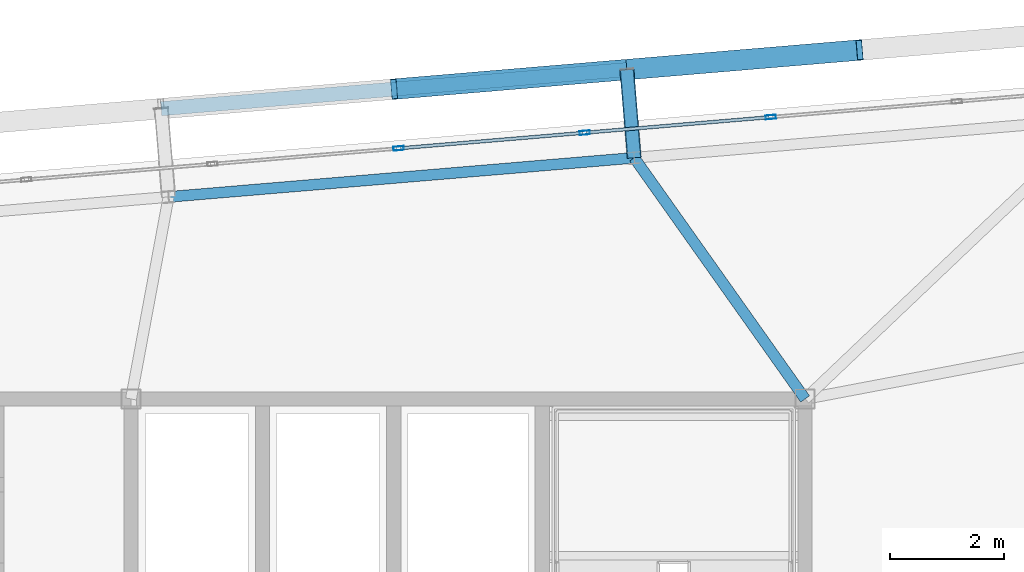
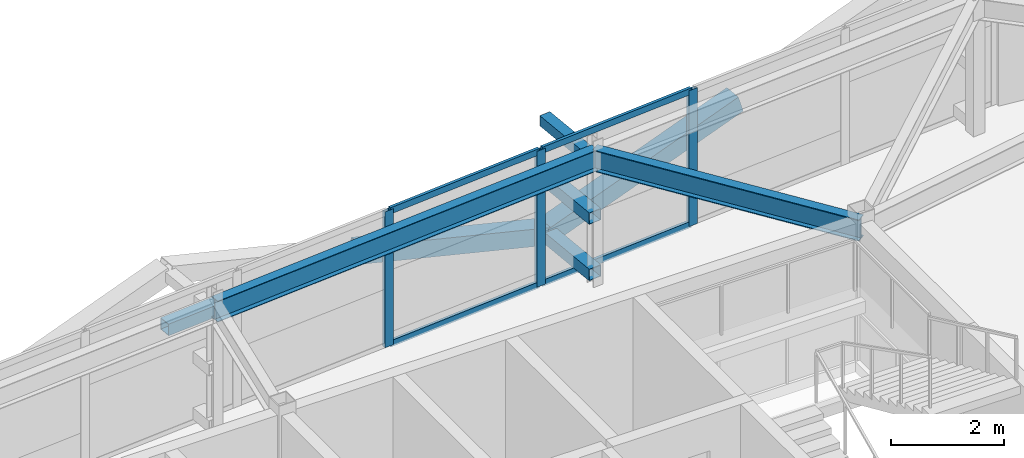
# One storey, part 30 of 46: 13 members, 2 beams, 1 element without a shape of its own.
"""IFC4 building model written with IfcOpenShell, lengths in metres."""

from ifc_helpers import new_model, si_unit, direction, frame, origin, origin_2d, place, context, subcontext, project, spatial, hollow_rectangle, i_section, extrude, source, transform, mapped, material, layer, layer_set, material_profile, profile_set, type_object, element, aggregate, save


model = new_model("IFC4")

# Units and contexts
model_context = context("Model", 3, precision=1e-05, world=origin(), true_north=direction((0.0, 1.0)))
body_context = subcontext(model_context, "Body", "Model", "MODEL_VIEW")
ifc_project = project(units=[si_unit("LENGTHUNIT", "METRE"), si_unit("AREAUNIT", "SQUARE_METRE"), si_unit("VOLUMEUNIT", "CUBIC_METRE"), si_unit("PLANEANGLEUNIT", "RADIAN"), si_unit("MASSUNIT", "GRAM", prefix="KILO")], contexts=[model_context])

# Site, building, storey
site_placement = place(None, origin())
site = spatial("IfcSite", under=ifc_project, at=site_placement, CompositionType="ELEMENT")
building_placement = place(site_placement, origin())
building = spatial("IfcBuilding", under=site, at=building_placement, Name="Taldren Reach Tower", CompositionType="ELEMENT")
storey_placement = place(building_placement, frame((0.0, 0.0, 185.14990234375)))
storey = spatial("IfcBuildingStorey", under=building, at=storey_placement, Name="L56", CompositionType="ELEMENT", Elevation=185.14990234375)

# Members
ifc_material_1 = material(Name="Steel Gr 350 (C350L0)", Category="steel")
ifc_material_profile_1 = material_profile(ifc_material_1, hollow_rectangle(XDim=0.25, YDim=0.25, WallThickness=0.010009765625, at=origin_2d()), Name="250x250x10.0SHS")
ifc_profile_set_1 = profile_set([ifc_material_profile_1], Name="Steel Gr 350 (C350L0)")
member_type_1 = type_object("IfcMemberType", Name="MB-POST250", PredefinedType="POST", material=ifc_profile_set_1)
shared_shape_1 = source(origin(), body_context, "Body", "SweptSolid", [
    extrude(hollow_rectangle(XDim=0.25, YDim=0.25, WallThickness=0.010009765625, at=origin_2d()), origin(), (0.0, 0.0, 1.0), 1.550048828125),
])
for number, where, z_axis, x_axis, name in (
    (1, (48.009033203125, 36.221435546875, 0.22021484375), (-0.083632013783, 0.996496706603, 0.0), (-0.996496706603, -0.083632013783, 0.0), "Exoskeleton base diaphragm tie strut B4-N5 L56"),
    (2, (48.009033203125, 36.221435546875, 1.43505859375), (-0.083632013783, 0.996496706603, 0.0), (-0.996496706603, -0.083632013783, 0.0), "Exoskeleton mid-tier diaphragm tie B4-N5 L56"),
):
    element("IfcMember", number, at=place(storey_placement, frame(where, z_axis=z_axis, x_axis=x_axis)), inside=storey, type_object=member_type_1, Name=name, PredefinedType="POST", context=body_context, shape_type="MappedRepresentation", body=[
        mapped(shared_shape_1, transform((0.0, 0.0, 0.0), scale=1.0)),
    ])

# Beams
ifc_material_2 = material(Name="Steel Gr 350 (350PLUS)", Category="steel")
ifc_material_profile_2 = material_profile(ifc_material_2, i_section(OverallWidth=0.18994140625, OverallDepth=0.4541015625, WebThickness=0.008544921875, FlangeThickness=0.0126953125, at=origin_2d()), Name="460UB67.1")
ifc_profile_set_2 = profile_set([ifc_material_profile_2], Name="Steel Gr 350 (350PLUS)")
beam_type_1 = type_object("IfcBeamType", Name="SP-UB460B", PredefinedType="SPANDREL", material=ifc_profile_set_2)
shared_shape_2 = source(origin(), body_context, "Body", "SweptSolid", [
    extrude(i_section(OverallWidth=0.18994140625, OverallDepth=0.4541015625, WebThickness=0.008544921875, FlangeThickness=0.0126953125, at=origin_2d()), origin(), (0.0, 0.0, 1.0), 8.179931640625),
])
beam_1_placement = place(storey_placement, frame((48.009033203125, 36.221435546875, 2.703125), z_axis=(-0.996494523218, -0.083658025296, 0.0), x_axis=(0.083658025296, -0.996494523218, 0.0)))
element("IfcBeam", 3, at=beam_1_placement, inside=storey, type_object=beam_type_1, Name="Perimeter spandrel B4 N5-N4 L56", PredefinedType="SPANDREL", context=body_context, shape_type="MappedRepresentation", body=[
    mapped(shared_shape_2, transform((0.0, 0.0, 0.0), scale=1.0)),
])
ifc_material_profile_3 = material_profile(ifc_material_2, i_section(OverallWidth=0.19091796875, OverallDepth=0.4599609375, WebThickness=0.010009765625, FlangeThickness=0.01611328125, at=origin_2d()), Name="460UB82.1")
ifc_profile_set_3 = profile_set([ifc_material_profile_3], Name="Steel Gr 350 (350PLUS)")
beam_type_2 = type_object("IfcBeamType", Name="BM-UB460A", PredefinedType="BEAM", material=ifc_profile_set_3)
shared_shape_3 = source(origin(), body_context, "Body", "SweptSolid", [
    extrude(i_section(OverallWidth=0.19091796875, OverallDepth=0.4599609375, WebThickness=0.010009765625, FlangeThickness=0.01611328125, at=origin_2d()), origin(), (0.0, 0.0, 1.0), 5.173583984375),
])
beam_2_placement = place(storey_placement, frame((51.0, 32.0, 2.7001953125), z_axis=(-0.578118152709, 0.8159530633, 0.0), x_axis=(-0.8159530633, -0.578118152709, 0.0)))
element("IfcBeam", 4, at=beam_2_placement, inside=storey, type_object=beam_type_2, Name="Primary floor girder B4-N5 L56", PredefinedType="BEAM", context=body_context, shape_type="MappedRepresentation", body=[
    mapped(shared_shape_3, transform((0.0, 0.0, 0.0), scale=1.0)),
])

# Members
ifc_material_3 = material(Name="Steel Gr 450 (C450L0)", Category="steel")
ifc_material_profile_4 = material_profile(ifc_material_3, hollow_rectangle(XDim=0.219970703125, YDim=0.219970703125, WallThickness=0.00830078125, at=origin_2d()), Name="220x220x8.2SHS")
ifc_profile_set_4 = profile_set([ifc_material_profile_4], Name="Steel Gr 450 (C450L0)")
member_type_2 = type_object("IfcMemberType", Name="MB-TIE219", PredefinedType="STRUT", material=ifc_profile_set_4)
shared_shape_4 = source(origin(), body_context, "Body", "SweptSolid", [
    extrude(hollow_rectangle(XDim=0.219970703125, YDim=0.219970703125, WallThickness=0.00830078125, at=origin_2d()), origin(), (0.0, 0.0, 1.0), 1.550048828125),
])
member_1_placement = place(storey_placement, frame((48.009033203125, 36.221435546875, 2.650146484375), z_axis=(-0.083632013783, 0.996496706603, 0.0), x_axis=(-0.996496706603, -0.083632013783, 0.0)))
element("IfcMember", 5, at=member_1_placement, inside=storey, type_object=member_type_2, Name="Exoskeleton diaphragm tie strut B4-N5 L56", PredefinedType="STRUT", context=body_context, shape_type="MappedRepresentation", body=[
    mapped(shared_shape_4, transform((0.0, 0.0, 0.0), scale=1.0)),
])
shared_shape_5 = source(origin(), body_context, "Body", "SweptSolid", [
    extrude(hollow_rectangle(XDim=0.25, YDim=0.25, WallThickness=0.010009765625, at=origin_2d()), origin(), (0.0, 0.0, 1.0), 8.18017578125),
])
member_2_placement = place(storey_placement, frame((39.72802734375, 37.08154296875, 1.43505859375), z_axis=(0.996492034688, 0.083687662192, 0.0), x_axis=(-0.083687662192, 0.996492034688, 0.0)))
element("IfcMember", 6, at=member_2_placement, inside=storey, type_object=member_type_1, Name="Exoskeleton mid-height ring chord B4-N4 L56", PredefinedType="POST", context=body_context, shape_type="MappedRepresentation", body=[
    mapped(shared_shape_5, transform((0.0, 0.0, 0.0), scale=1.0)),
])
ifc_material_profile_5 = material_profile(ifc_material_3, hollow_rectangle(XDim=0.360107421875, YDim=0.360107421875, WallThickness=0.0126953125, at=origin_2d()), Name="360x360x12.7SHS")
ifc_profile_set_5 = profile_set([ifc_material_profile_5], Name="Steel Gr 450 (C450L0)")
member_type_3 = type_object("IfcMemberType", Name="MB-EXO356", PredefinedType="BRACE", material=ifc_profile_set_5)
shared_shape_6 = source(origin(), body_context, "Body", "SweptSolid", [
    extrude(hollow_rectangle(XDim=0.360107421875, YDim=0.360107421875, WallThickness=0.0126953125, at=origin_2d()), origin(), (0.0, 0.0, 1.0), 4.2666015625),
])
for number, where, z_axis, x_axis, name in (
    (7, (47.87939453125, 37.76611328125, 0.22021484375), (-0.955244723646, -0.080223619417, 0.284730906006), (0.083687662192, -0.996492034688, 0.0), "Exoskeleton Diagrid Brace B4-N4 L56"),
    (8, (47.87939453125, 37.76611328125, 0.22021484375), (0.955244723646, 0.080223619417, 0.284730906006), (-0.083687662192, 0.996492034688, 0.0), "Exoskeleton Diagrid Brace B4-N5 L56"),
):
    element("IfcMember", number, at=place(storey_placement, frame(where, z_axis=z_axis, x_axis=x_axis)), inside=storey, type_object=member_type_3, Name=name, PredefinedType="BRACE", context=body_context, shape_type="MappedRepresentation", body=[
        mapped(shared_shape_6, transform((0.0, 0.0, 0.0), scale=1.0)),
    ])

# Curtain wall, members
ifc_material_4 = material(Name="Aluminium and Low-E Glass Unitised System", Category="aluminium")
ifc_layer = layer(ifc_material_4, 0.159912109375)
ifc_layer_set = layer_set([ifc_layer], Name="Aluminium and Low-E Glass Unitised System")
curtain_wall_type = type_object("IfcCurtainWallType", Name="CW-SYS-5", PredefinedType="NOTDEFINED", material=ifc_layer_set)
curtain_wall_placement = place(storey_placement, origin())
curtain_wall = element("IfcCurtainWall", 9, at=curtain_wall_placement, inside=storey, type_object=curtain_wall_type, Name="Unitised curtain wall CW-L56-N", PredefinedType="NOTDEFINED")
ifc_material_5 = material(Name="Anodised Aluminium 6063-T6", Category="aluminium")
ifc_material_profile_6 = material_profile(ifc_material_5, hollow_rectangle(XDim=0.070068359375, YDim=0.179931640625, WallThickness=0.00390625, at=origin_2d()), Name="ALU-180x70x4RHS")
ifc_profile_set_6 = profile_set([ifc_material_profile_6], Name="Anodised Aluminium 6063-T6")
member_type_4 = type_object("IfcMemberType", Name="CW-MUL-180", PredefinedType="MULLION", material=ifc_profile_set_6)
shared_shape_7 = source(origin(), body_context, "Body", "SweptSolid", [
    extrude(hollow_rectangle(XDim=0.070068359375, YDim=0.179931640625, WallThickness=0.00390625, at=origin_2d()), origin(), (0.0, 0.0, 1.0), 2.93017578125),
])
member_3_placement = place(storey_placement, frame((50.3994140625, 36.93408203125, 0.0), z_axis=(0.0, 0.0, 1.0), x_axis=(0.083677875247, -0.99649285657, 0.0)))
member_3 = element("IfcMember", 10, at=member_3_placement, type_object=member_type_4, Name="CW-5 mullion 3", PredefinedType="MULLION", context=body_context, shape_type="MappedRepresentation", body=[
    mapped(shared_shape_7, transform((0.0, 0.0, 0.0), scale=1.0)),
])
member_4_placement = place(storey_placement, frame((47.1416015625, 36.660400390625, 0.0), z_axis=(0.0, 0.0, 1.0), x_axis=(0.083677875247, -0.99649285657, 0.0)))
member_4 = element("IfcMember", 11, at=member_4_placement, type_object=member_type_4, Name="CW-5 mullion 4", PredefinedType="MULLION", context=body_context, shape_type="MappedRepresentation", body=[
    mapped(shared_shape_7, transform((0.0, 0.0, 0.0), scale=1.0)),
])
member_5_placement = place(storey_placement, frame((43.8837890625, 36.386962890625, 0.0), z_axis=(0.0, 0.0, 1.0), x_axis=(0.083677875247, -0.99649285657, 0.0)))
member_5 = element("IfcMember", 12, at=member_5_placement, type_object=member_type_4, Name="CW-5 mullion 5", PredefinedType="MULLION", context=body_context, shape_type="MappedRepresentation", body=[
    mapped(shared_shape_7, transform((0.0, 0.0, 0.0), scale=1.0)),
])
ifc_material_profile_7 = material_profile(ifc_material_5, hollow_rectangle(XDim=0.06005859375, YDim=0.135009765625, WallThickness=0.00341796875, at=origin_2d()), Name="ALU-135x60x3.5RHS")
ifc_profile_set_7 = profile_set([ifc_material_profile_7], Name="Anodised Aluminium 6063-T6")
member_type_5 = type_object("IfcMemberType", Name="CW-TRN-150", PredefinedType="USERDEFINED", material=ifc_profile_set_7)
shared_shape_8 = source(origin(), body_context, "Body", "SweptSolid", [
    extrude(hollow_rectangle(XDim=0.06005859375, YDim=0.135009765625, WallThickness=0.00341796875, at=origin_2d()), origin(), (0.0, 0.0, 1.0), 3.19921875),
])
member_6_placement = place(storey_placement, frame((50.364501953125, 36.93115234375, 0.030029296875), z_axis=(-0.996489746258, -0.083714906697, 0.0), x_axis=(0.083714906697, -0.996489746258, 0.0)))
member_6 = element("IfcMember", 13, at=member_6_placement, type_object=member_type_5, Name="CW-5 transom 3.1", ObjectType="TRANSOM", PredefinedType="USERDEFINED", context=body_context, shape_type="MappedRepresentation", body=[
    mapped(shared_shape_8, transform((0.0, 0.0, 0.0), scale=1.0)),
])
member_7_placement = place(storey_placement, frame((50.364501953125, 36.93115234375, 2.900146484375), z_axis=(-0.996489746258, -0.083714906697, 0.0), x_axis=(0.083714906697, -0.996489746258, 0.0)))
member_7 = element("IfcMember", 14, at=member_7_placement, type_object=member_type_5, Name="CW-5 transom 3.2", ObjectType="TRANSOM", PredefinedType="USERDEFINED", context=body_context, shape_type="MappedRepresentation", body=[
    mapped(shared_shape_8, transform((0.0, 0.0, 0.0), scale=1.0)),
])
member_8_placement = place(storey_placement, frame((47.106689453125, 36.657470703125, 0.030029296875), z_axis=(-0.996496109493, -0.083639128198, 0.0), x_axis=(0.083639128198, -0.996496109493, 0.0)))
member_8 = element("IfcMember", 15, at=member_8_placement, type_object=member_type_5, Name="CW-5 transom 4.1", ObjectType="TRANSOM", PredefinedType="USERDEFINED", context=body_context, shape_type="MappedRepresentation", body=[
    mapped(shared_shape_8, transform((0.0, 0.0, 0.0), scale=1.0)),
])
member_9_placement = place(storey_placement, frame((47.106689453125, 36.657470703125, 2.900146484375), z_axis=(-0.996496109493, -0.083639128198, 0.0), x_axis=(0.083639128198, -0.996496109493, 0.0)))
member_9 = element("IfcMember", 16, at=member_9_placement, type_object=member_type_5, Name="CW-5 transom 4.2", ObjectType="TRANSOM", PredefinedType="USERDEFINED", context=body_context, shape_type="MappedRepresentation", body=[
    mapped(shared_shape_8, transform((0.0, 0.0, 0.0), scale=1.0)),
])
aggregate(curtain_wall, [member_3, member_4, member_5, member_6, member_7, member_8, member_9])

save(model, "model.ifc")
